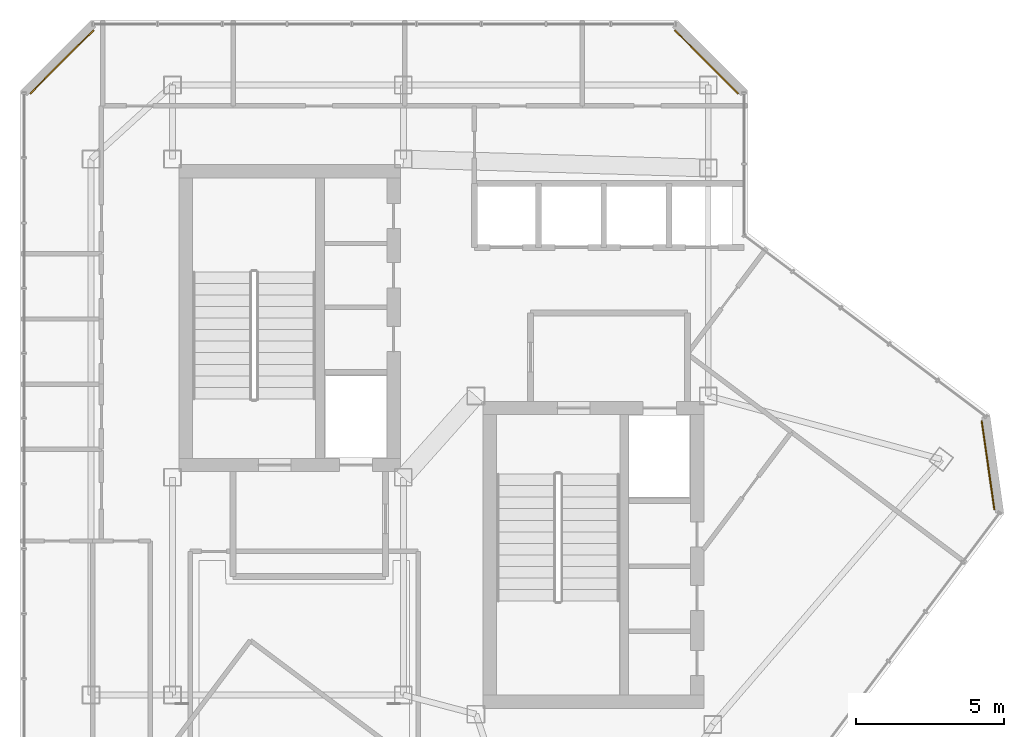
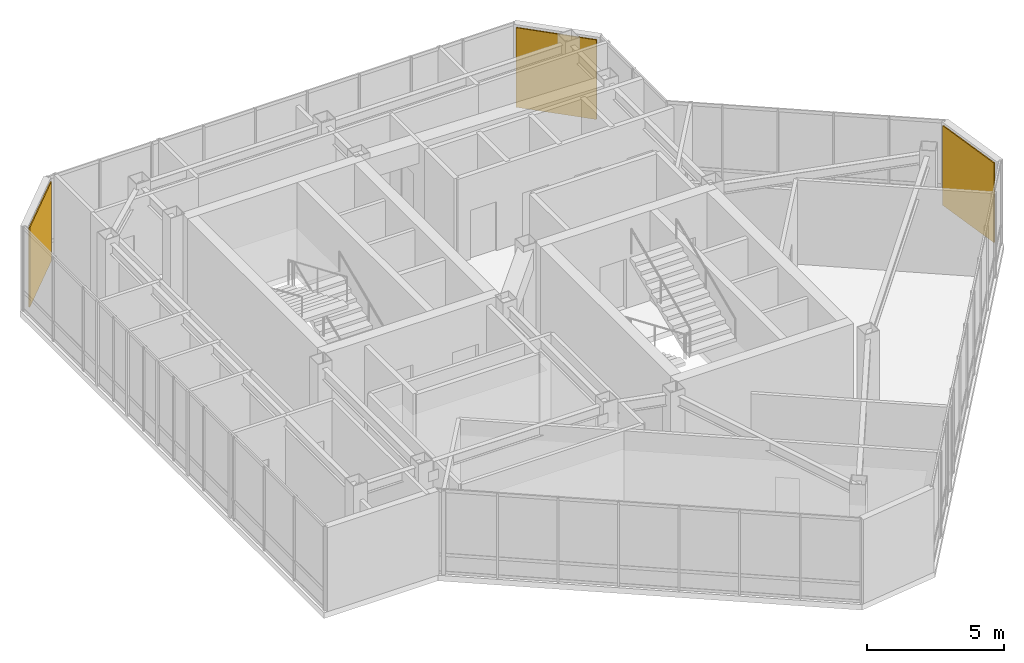
# One storey, part 30 of 30: 3 coverings.
"""IFC4 building model written with IfcOpenShell, lengths in metres."""

from ifc_helpers import new_model, si_unit, direction, frame, origin, origin_2d, place, context, subcontext, project, spatial, rectangle, extrude, material, layer, layer_set, type_object, element, save


model = new_model("IFC4")

# Units and contexts
model_context = context("Model", 3, precision=1e-05, world=origin(), true_north=direction((0.0, 1.0)))
body_context = subcontext(model_context, "Body", "Model", "MODEL_VIEW")
ifc_project = project(units=[si_unit("LENGTHUNIT", "METRE"), si_unit("AREAUNIT", "SQUARE_METRE"), si_unit("VOLUMEUNIT", "CUBIC_METRE"), si_unit("PLANEANGLEUNIT", "RADIAN"), si_unit("MASSUNIT", "GRAM", prefix="KILO")], contexts=[model_context])

# Site, building, storey
site_placement = place(None, origin())
site = spatial("IfcSite", under=ifc_project, at=site_placement, CompositionType="ELEMENT")
building_placement = place(site_placement, origin())
building = spatial("IfcBuilding", under=site, at=building_placement, Name="Hatsunagi Terrace Concourse", CompositionType="ELEMENT")
storey_placement = place(building_placement, frame((0.0, 0.0, 273.949951171875)))
storey = spatial("IfcBuildingStorey", under=building, at=storey_placement, Name="L72", CompositionType="ELEMENT", Elevation=273.949951171875)

# Coverings
ifc_material = material(Name="Unglazed Warm Terracotta Rainscreen Tile", Category="masonry")
ifc_layer = layer(ifc_material, 0.044921875)
ifc_layer_set = layer_set([ifc_layer], Name="TerracottaRainscreenCladding_45")
covering_type = type_object("IfcCoveringType", Name="TerracottaRainscreenCladding_45", PredefinedType="CLADDING", material=ifc_layer_set)
for number, where, z_axis, x_axis, name in (
    (1, (53.10107421875, 32.9580078125, 0.10009765625), (0.0, 0.0, 1.0), (0.141250262458, -0.989973920543, 0.0), "Terracotta Rainscreen Cladding L72-02"),
    (2, (21.81396484375, 46.5859375, 0.10009765625), (0.0, 0.0, 1.0), (0.707106781187, 0.707106781187, 0.0), "Terracotta Rainscreen Cladding L72-08"),
    (3, (43.5859375, 46.5859375, 0.10009765625), (0.0, 0.0, 1.0), (0.707106781187, -0.707106781187, 0.0), "Terracotta Rainscreen Cladding L72-10"),
):
    element("IfcCovering", number, at=place(storey_placement, frame(where, z_axis=z_axis, x_axis=x_axis)), inside=storey, type_object=covering_type, Name=name, PredefinedType="CLADDING", context=body_context, shape_type="SweptSolid", body=[
        extrude(rectangle(XDim=3.0380859375, YDim=0.044921875, at=origin_2d()), origin(), (0.0, 0.0, 1.0), 3.550048828125),
    ])

save(model, "model.ifc")
